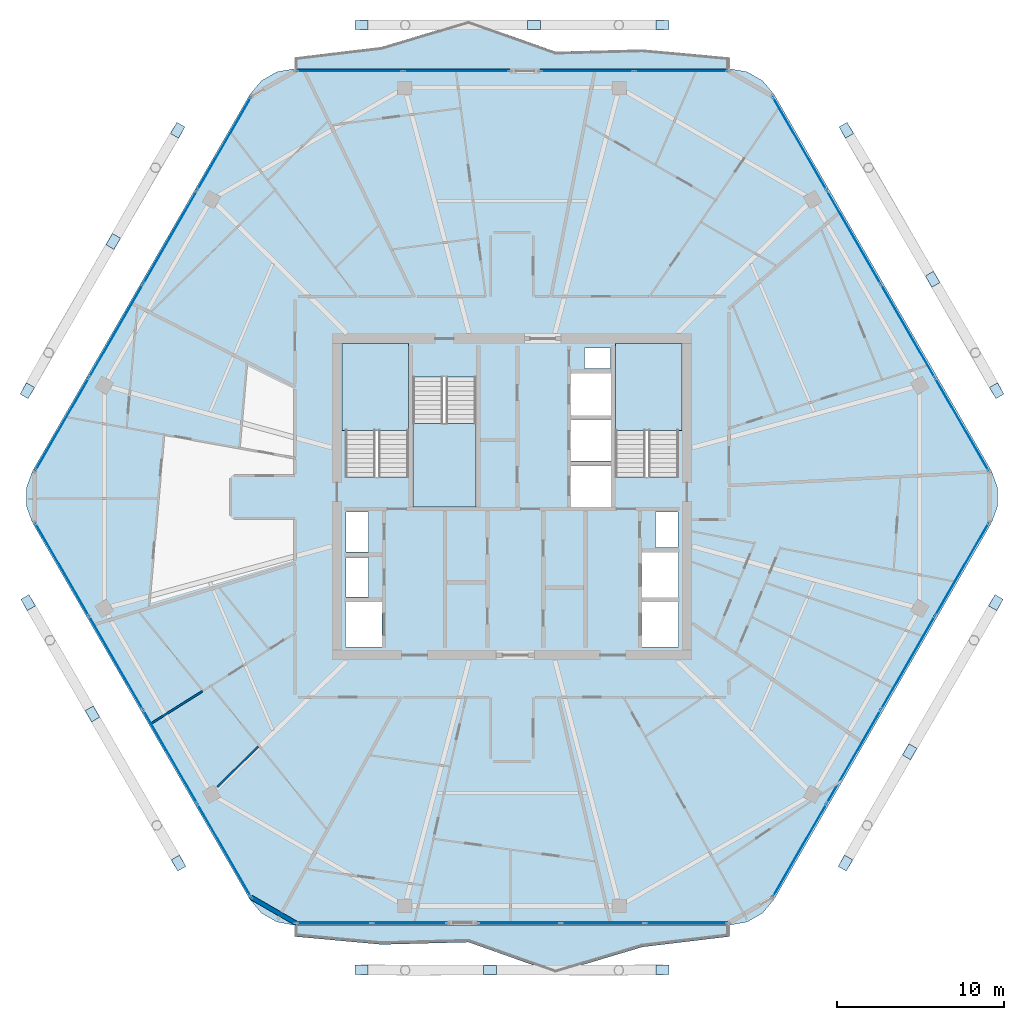
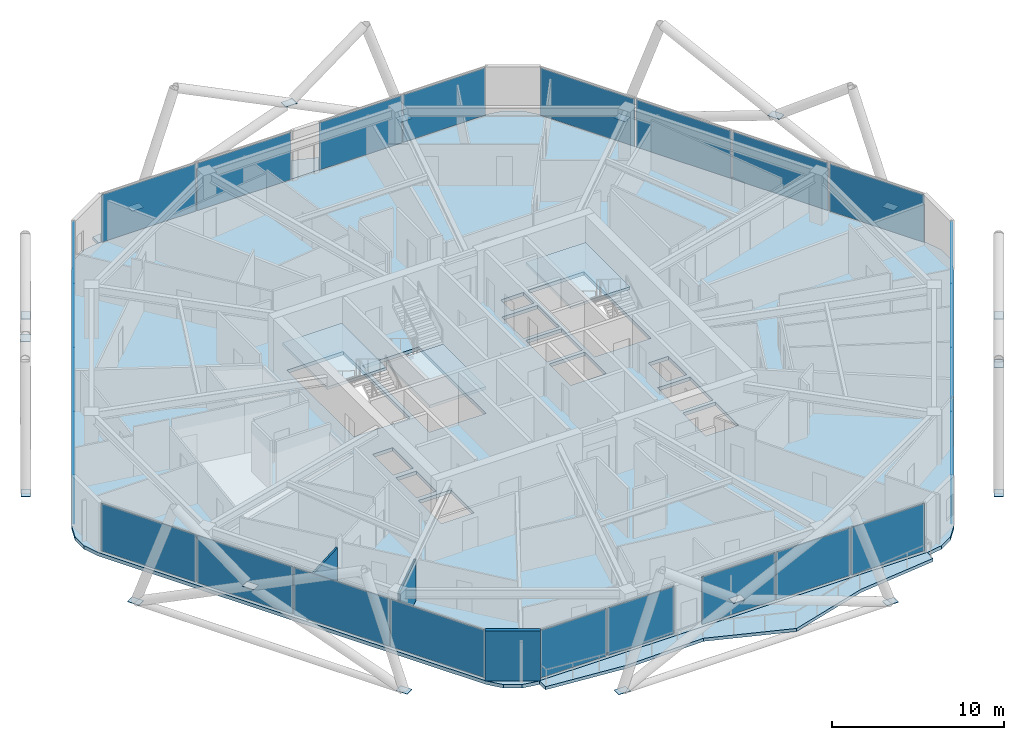
# One storey, part 19 of 27: 43 plates, 6 slabs, 3 walls, 11 elements without a shape of their own.
"""IFC4 building model written with IfcOpenShell, lengths in metres."""

from ifc_helpers import new_model, si_unit, direction, frame, frame_2d, origin, origin_2d, place, context, subcontext, project, spatial, polyline, rectangle, outline, extrude, material, layer, layer_set, type_object, element, aggregate, save


model = new_model("IFC4")

# Units and contexts
model_context = context("Model", 3, precision=1e-05, world=origin(), true_north=direction((0.0, 1.0)))
body_context = subcontext(model_context, "Body", "Model", "MODEL_VIEW")
ifc_project = project(units=[si_unit("LENGTHUNIT", "METRE"), si_unit("AREAUNIT", "SQUARE_METRE"), si_unit("VOLUMEUNIT", "CUBIC_METRE"), si_unit("PLANEANGLEUNIT", "RADIAN"), si_unit("MASSUNIT", "GRAM", prefix="KILO")], contexts=[model_context])

# Site, building, storey
site_placement = place(None, origin())
site = spatial("IfcSite", under=ifc_project, at=site_placement, CompositionType="ELEMENT")
building_placement = place(site_placement, origin())
building = spatial("IfcBuilding", under=site, at=building_placement, Name="Zuhravey Tower", CompositionType="ELEMENT")
storey_placement = place(building_placement, frame((0.0, 0.0, 276.800048828125)))
storey = spatial("IfcBuildingStorey", under=building, at=storey_placement, Name="L70", CompositionType="ELEMENT", Elevation=276.800048828125)

# Plates
ifc_material_1 = material(Name="Steel SM460", Category="steel")
ifc_layer_1 = layer(ifc_material_1, 0.031982421875)
ifc_layer_set_1 = layer_set([ifc_layer_1], Name="Steel SM460")
plate_type_1 = type_object("IfcPlateType", Name="Exoskeleton Zone 3 Node Plate ND3", PredefinedType="SHEET", material=ifc_layer_set_1)
for number, where, z_axis, x_axis, name in (
    (1, (65.095458984375, 38.37255859375, -0.47998046875), (0.0, 0.0, 1.0), (-0.5, 0.866025403784, 0.0), "L70 Exoskeleton Node Gusset L70-01"),
    (2, (56.06640625, 54.010986328125, -0.47998046875), (0.0, 0.0, 1.0), (-0.5, 0.866025403784, 0.0), "L70 Exoskeleton Node Gusset L70-02"),
    (3, (45.029052734375, 60.323486328125, -0.47998046875), (0.0, 0.0, 1.0), (-1.0, 0.0, 0.0), "L70 Exoskeleton Node Gusset L70-03"),
    (4, (26.970947265625, 60.323486328125, -0.47998046875), (0.0, 0.0, 1.0), (-1.0, 0.0, 0.0), "L70 Exoskeleton Node Gusset L70-04"),
    (5, (15.93359375, 54.010986328125, -0.47998046875), (0.0, 0.0, 1.0), (-0.5, -0.866025403784, 0.0), "L70 Exoskeleton Node Gusset L70-05"),
    (6, (6.904541015625, 38.37255859375, -0.47998046875), (0.0, 0.0, 1.0), (-0.5, -0.866025403784, 0.0), "L70 Exoskeleton Node Gusset L70-06"),
    (7, (6.95654296875, 25.657470703125, -0.47998046875), (0.0, 0.0, 1.0), (0.5, -0.866025403784, 0.0), "L70 Exoskeleton Node Gusset L70-07"),
    (8, (15.985595703125, 10.018798828125, -0.47998046875), (0.0, 0.0, 1.0), (0.5, -0.866025403784, 0.0), "L70 Exoskeleton Node Gusset L70-08"),
    (9, (26.970947265625, 3.616455078125, -0.47998046875), (0.0, 0.0, 1.0), (1.0, 0.0, 0.0), "L70 Exoskeleton Node Gusset L70-09"),
    (10, (45.029052734375, 3.616455078125, -0.47998046875), (0.0, 0.0, 1.0), (1.0, 0.0, 0.0), "L70 Exoskeleton Node Gusset L70-10"),
    (11, (56.014404296875, 10.018798828125, -0.47998046875), (0.0, 0.0, 1.0), (0.5, 0.866025403784, 0.0), "L70 Exoskeleton Node Gusset L70-11"),
    (12, (65.04345703125, 25.657470703125, -0.47998046875), (0.0, 0.0, 1.0), (0.5, 0.866025403784, 0.0), "L70 Exoskeleton Node Gusset L70-12"),
    (13, (61.249267578125, 45.064208984375, 3.31982421875), (0.0, 0.0, 1.0), (-0.5, 0.866025403784, 0.0), "L70 Face 1 Diagrid X-Crossing Plate"),
    (14, (37.310791015625, 60.323486328125, 3.31982421875), (0.0, 0.0, 1.0), (-1.0, 0.0, 0.0), "L70 Face 2 Diagrid X-Crossing Plate"),
    (15, (12.0615234375, 47.33447265625, 3.31982421875), (0.0, 0.0, 1.0), (-0.5, -0.866025403784, 0.0), "L70 Face 3 Diagrid X-Crossing Plate"),
    (16, (10.815673828125, 18.973388671875, 3.31982421875), (0.0, 0.0, 1.0), (0.5, -0.866025403784, 0.0), "L70 Face 4 Diagrid X-Crossing Plate"),
    (17, (34.689208984375, 3.601318359375, 3.31982421875), (0.0, 0.0, 1.0), (1.0, 0.0, 0.0), "L70 Face 5 Diagrid X-Crossing Plate"),
    (18, (59.87353515625, 16.703125, 3.31982421875), (0.0, 0.0, 1.0), (0.5, 0.866025403784, 0.0), "L70 Face 6 Diagrid X-Crossing Plate"),
):
    element("IfcPlate", number, at=place(storey_placement, frame(where, z_axis=z_axis, x_axis=x_axis)), inside=storey, type_object=plate_type_1, Name=name, PredefinedType="SHEET", context=body_context, shape_type="SweptSolid", body=[
        extrude(rectangle(XDim=0.780029296875, YDim=0.56005859375, at=origin_2d()), origin(), (0.0, 0.0, 1.0), 0.031982421875),
    ])

# Slabs
ifc_material_2 = material(Name="Concrete C50/60", Category="concrete")
ifc_layer_2 = layer(ifc_material_2, 0.25)
ifc_layer_set_2 = layer_set([ifc_layer_2], Name="Concrete C50/60")
slab_type_1 = type_object("IfcSlabType", Name="Residential Acoustic Slab 250", PredefinedType="FLOOR", material=ifc_layer_set_2)
slab_1_placement = place(storey_placement, frame((0.0, 0.0, -0.25)))
element("IfcSlab", 19, at=slab_1_placement, inside=storey, type_object=slab_type_1, Name="L70 Floor Slab FS25", PredefinedType="FLOOR", context=body_context, shape_type="SweptSolid", body=[
    extrude(outline(polyline([(64.78515625, 30.449951171875), (65.1533203125, 31.461669921875), (65.1533203125, 32.538330078125), (64.78515625, 33.550048828125), (51.73486328125, 56.153564453125), (51.04296875, 56.978515625), (50.110595703125, 57.5166015625), (49.05029296875, 57.70361328125), (22.94970703125, 57.70361328125), (21.889404296875, 57.5166015625), (20.95703125, 56.978515625), (20.26513671875, 56.153564453125), (7.21484375, 33.550048828125), (6.8466796875, 32.538330078125), (6.8466796875, 31.461669921875), (7.21484375, 30.449951171875), (20.26513671875, 7.846435546875), (20.95703125, 7.021484375), (21.889404296875, 6.4833984375), (22.94970703125, 6.29638671875), (49.05029296875, 6.29638671875), (50.110595703125, 6.4833984375), (51.04296875, 7.021484375), (51.73486328125, 7.846435546875), (64.78515625, 30.449951171875)]), holes=[polyline([(29.800048828125, 33.20068359375), (29.800048828125, 41.0), (26.0, 41.0), (26.0, 33.20068359375), (29.800048828125, 33.20068359375)]), polyline([(46.0, 33.20068359375), (46.0, 41.0), (42.199951171875, 41.0), (42.199951171875, 33.20068359375), (46.0, 33.20068359375)]), polyline([(30.050048828125, 39.199462890625), (30.050048828125, 31.39990234375), (33.85009765625, 31.39990234375), (33.85009765625, 39.199462890625), (30.050048828125, 39.199462890625)]), polyline([(39.550048828125, 31.39990234375), (41.949951171875, 31.39990234375), (41.949951171875, 33.89990234375), (39.550048828125, 33.89990234375), (39.550048828125, 31.39990234375)]), polyline([(39.550048828125, 34.14990234375), (41.949951171875, 34.14990234375), (41.949951171875, 36.64990234375), (39.550048828125, 36.64990234375), (39.550048828125, 34.14990234375)]), polyline([(39.550048828125, 36.89990234375), (41.949951171875, 36.89990234375), (41.949951171875, 39.39990234375), (39.550048828125, 39.39990234375), (39.550048828125, 36.89990234375)]), polyline([(26.0, 23.0), (28.199951171875, 23.0), (28.199951171875, 25.699951171875), (26.0, 25.699951171875), (26.0, 23.0)]), polyline([(43.800048828125, 23.0), (46.0, 23.0), (46.0, 25.699951171875), (43.800048828125, 25.699951171875), (43.800048828125, 23.0)]), polyline([(43.800048828125, 25.949951171875), (46.0, 25.949951171875), (46.0, 28.64990234375), (43.800048828125, 28.64990234375), (43.800048828125, 25.949951171875)]), polyline([(26.050048828125, 26.0), (27.39990234375, 26.0), (27.39990234375, 28.35009765625), (26.050048828125, 28.35009765625), (26.050048828125, 26.0)]), polyline([(26.050048828125, 28.699951171875), (27.39990234375, 28.699951171875), (27.39990234375, 31.10009765625), (26.050048828125, 31.10009765625), (26.050048828125, 28.699951171875)]), polyline([(44.60009765625, 28.949951171875), (45.949951171875, 28.949951171875), (45.949951171875, 31.10009765625), (44.60009765625, 31.10009765625), (44.60009765625, 28.949951171875)]), polyline([(40.35009765625, 39.699951171875), (41.89990234375, 39.699951171875), (41.89990234375, 40.949951171875), (40.35009765625, 40.949951171875), (40.35009765625, 39.699951171875)])]), origin(), (0.0, 0.0, 1.0), 0.25),
])
ifc_material_3 = material(Name="Concrete C40/50", Category="concrete")
ifc_layer_3 = layer(ifc_material_3, 0.219970703125)
ifc_layer_set_3 = layer_set([ifc_layer_3], Name="Concrete C40/50")
slab_type_2 = type_object("IfcSlabType", Name="Sinusoidal Residential Wave Balcony 220", PredefinedType="FLOOR", material=ifc_layer_set_3)
slab_2_placement = place(storey_placement, frame((0.0, 0.0, -0.219970703125)))
element("IfcSlab", 20, at=slab_2_placement, inside=storey, type_object=slab_type_2, Name="L70 Face 5 Wave Balcony WB22", PredefinedType="FLOOR", context=body_context, shape_type="SweptSolid", body=[
    extrude(outline(polyline([(22.95849609375, 6.311279296875), (49.04150390625, 6.311279296875), (49.04150390625, 5.611328125), (43.824951171875, 4.985107421875), (38.6083984375, 3.422607421875), (33.3916015625, 5.2724609375), (28.175048828125, 5.134033203125), (22.95849609375, 5.611328125), (22.95849609375, 6.311279296875)])), origin(), (0.0, 0.0, 1.0), 0.219970703125),
])
slab_3_placement = place(storey_placement, frame((0.0, 0.0, -0.219970703125)))
element("IfcSlab", 21, at=slab_3_placement, inside=storey, type_object=slab_type_2, Name="L70 Face 2 Wave Balcony WB22", PredefinedType="FLOOR", context=body_context, shape_type="SweptSolid", body=[
    extrude(outline(polyline([(49.04150390625, 57.688720703125), (22.95849609375, 57.688720703125), (22.95849609375, 58.388671875), (28.175048828125, 59.014892578125), (33.3916015625, 60.577392578125), (38.6083984375, 58.7275390625), (43.824951171875, 58.865966796875), (49.04150390625, 58.388671875), (49.04150390625, 57.688720703125)])), origin(), (0.0, 0.0, 1.0), 0.219970703125),
])

# Stair, slab
stair_type = type_object("IfcStairType", Name="Housing Storey Stair Assembly 3800", PredefinedType="HALF_TURN_STAIR", material=ifc_material_3)
stair_1_placement = place(storey_placement, origin())
stair_1 = element("IfcStair", 22, at=stair_1_placement, inside=storey, type_object=stair_type, Name="L70 Core Exit Stair ST1", PredefinedType="HALF_TURN_STAIR")
ifc_layer_4 = layer(ifc_material_3, 0.199951171875)
ifc_layer_set_4 = layer_set([ifc_layer_4], Name="Concrete C40/50")
slab_type_3 = type_object("IfcSlabType", Name="Stair Landing Slab 200", PredefinedType="LANDING", material=ifc_layer_set_4)
slab_4_placement = place(storey_placement, frame((0.0, 0.0, 1.699951171875)))
slab_4 = element("IfcSlab", 23, at=slab_4_placement, type_object=slab_type_3, Name="ST1 landing 1", PredefinedType="LANDING", context=body_context, shape_type="SweptSolid", body=[
    extrude(outline(polyline([(29.800048828125, 36.0), (29.800048828125, 41.197998046875), (25.802001953125, 41.197998046875), (25.802001953125, 36.0), (29.800048828125, 36.0)])), origin(), (0.0, 0.0, 1.0), 0.199951171875),
])
aggregate(stair_1, [slab_4])

stair_2_placement = place(storey_placement, origin())
stair_2 = element("IfcStair", 24, at=stair_2_placement, inside=storey, type_object=stair_type, Name="L70 Core Exit Stair ST2", PredefinedType="HALF_TURN_STAIR")
slab_5_placement = place(storey_placement, frame((0.0, 0.0, 1.699951171875)))
slab_5 = element("IfcSlab", 25, at=slab_5_placement, type_object=slab_type_3, Name="ST2 landing 1", PredefinedType="LANDING", context=body_context, shape_type="SweptSolid", body=[
    extrude(outline(polyline([(46.197998046875, 36.0), (46.197998046875, 41.197998046875), (42.199951171875, 41.197998046875), (42.199951171875, 36.0), (46.197998046875, 36.0)])), origin(), (0.0, 0.0, 1.0), 0.199951171875),
])
aggregate(stair_2, [slab_5])

stair_3_placement = place(storey_placement, origin())
stair_3 = element("IfcStair", 26, at=stair_3_placement, inside=storey, type_object=stair_type, Name="L70 Core Exit Stair ST3", PredefinedType="HALF_TURN_STAIR")
slab_6_placement = place(storey_placement, frame((0.0, 0.0, 1.699951171875)))
slab_6 = element("IfcSlab", 27, at=slab_6_placement, type_object=slab_type_3, Name="ST3 landing 1", PredefinedType="LANDING", context=body_context, shape_type="SweptSolid", body=[
    extrude(outline(polyline([(30.050048828125, 36.39990234375), (30.050048828125, 31.39990234375), (33.85009765625, 31.39990234375), (33.85009765625, 36.39990234375), (30.050048828125, 36.39990234375)])), origin(), (0.0, 0.0, 1.0), 0.199951171875),
])
aggregate(stair_3, [slab_6])

# Curtain wall, plates
ifc_material_4 = material(Name="Thermally broken anodised aluminium", Category="aluminium")
curtain_wall_type = type_object("IfcCurtainWallType", Name="Zone 3-4 High-Rise Curtain Wall CW4", PredefinedType="NOTDEFINED", material=ifc_material_4)
curtain_wall_1_placement = place(storey_placement, origin())
curtain_wall_1 = element("IfcCurtainWall", 28, at=curtain_wall_1_placement, inside=storey, type_object=curtain_wall_type, Name="L70 CW4 CW-L70-F6-1", PredefinedType="NOTDEFINED")
ifc_material_5 = material(Name="Triple low-E insulated vision glass", Category="glass")
ifc_layer_5 = layer(ifc_material_5, 0.0419921875)
ifc_layer_set_5 = layer_set([ifc_layer_5], Name="Triple low-E insulated vision glass")
plate_type_2 = type_object("IfcPlateType", Name="Triple Low-E Vision Panel", PredefinedType="CURTAIN_PANEL", material=ifc_layer_set_5)
plate_1_placement = place(storey_placement, frame((63.00732421875, 27.650634765625, 0.08984375), z_axis=(0.0, 0.0, 1.0), x_axis=(-0.500000957414, -0.866024851021, 0.0)))
plate_1 = element("IfcPlate", 29, at=plate_1_placement, type_object=plate_type_2, Name="CW4 panel 1.1", PredefinedType="CURTAIN_PANEL", context=body_context, shape_type="SweptSolid", body=[
    extrude(rectangle(XDim=6.371337890625, YDim=0.0419921875, at=origin_2d()), origin(), (0.0, 0.0, 1.0), 3.3701171875),
])
plate_2_placement = place(storey_placement, frame((59.765380859375, 22.03564453125, 0.08984375), z_axis=(0.0, 0.0, 1.0), x_axis=(-0.500000957414, -0.866024851021, 0.0)))
plate_2 = element("IfcPlate", 30, at=plate_2_placement, type_object=plate_type_2, Name="CW4 panel 2.1", PredefinedType="CURTAIN_PANEL", context=body_context, shape_type="SweptSolid", body=[
    extrude(rectangle(XDim=6.416259765625, YDim=0.0419921875, at=origin_2d()), origin(), (0.0, 0.0, 1.0), 3.3701171875),
])
plate_3_placement = place(storey_placement, frame((56.51220703125, 16.40087890625, 0.08984375), z_axis=(0.0, 0.0, 1.0), x_axis=(-0.500000957414, -0.866024851021, 0.0)))
plate_3 = element("IfcPlate", 31, at=plate_3_placement, type_object=plate_type_2, Name="CW4 panel 3.1", PredefinedType="CURTAIN_PANEL", context=body_context, shape_type="SweptSolid", body=[
    extrude(rectangle(XDim=6.416259765625, YDim=0.0419921875, at=origin_2d()), origin(), (0.0, 0.0, 1.0), 3.3701171875),
])
plate_4_placement = place(storey_placement, frame((53.270263671875, 10.78564453125, 0.08984375), z_axis=(0.0, 0.0, 1.0), x_axis=(-0.500000957414, -0.866024851021, 0.0)))
plate_4 = element("IfcPlate", 32, at=plate_4_placement, type_object=plate_type_2, Name="CW4 panel 4.1", PredefinedType="CURTAIN_PANEL", context=body_context, shape_type="SweptSolid", body=[
    extrude(rectangle(XDim=6.371337890625, YDim=0.0419921875, at=origin_2d()), origin(), (0.0, 0.0, 1.0), 3.3701171875),
])
aggregate(curtain_wall_1, [plate_1, plate_2, plate_3, plate_4])

curtain_wall_2_placement = place(storey_placement, origin())
curtain_wall_2 = element("IfcCurtainWall", 33, at=curtain_wall_2_placement, inside=storey, type_object=curtain_wall_type, Name="L70 CW4 CW-L70-F5-1", PredefinedType="NOTDEFINED")
plate_5_placement = place(storey_placement, frame((46.467041015625, 6.436279296875, 0.08984375), z_axis=(0.0, 0.0, 1.0), x_axis=(-1.0, 0.0, 0.0)))
plate_5 = element("IfcPlate", 34, at=plate_5_placement, type_object=plate_type_2, Name="CW4 panel 1.1", PredefinedType="CURTAIN_PANEL", context=body_context, shape_type="SweptSolid", body=[
    extrude(rectangle(XDim=4.911376953125, YDim=0.0419921875, at=origin_2d()), origin(), (0.0, 0.0, 1.0), 3.3701171875),
])
plate_6_placement = place(storey_placement, frame((41.443115234375, 6.436279296875, 0.08984375), z_axis=(0.0, 0.0, 1.0), x_axis=(-1.0, 0.0, 0.0)))
plate_6 = element("IfcPlate", 35, at=plate_6_placement, type_object=plate_type_2, Name="CW4 panel 2.1", PredefinedType="CURTAIN_PANEL", context=body_context, shape_type="SweptSolid", body=[
    extrude(rectangle(XDim=4.956298828125, YDim=0.0419921875, at=origin_2d()), origin(), (0.0, 0.0, 1.0), 3.3701171875),
])
plate_7_placement = place(storey_placement, frame((36.41943359375, 6.436279296875, 0.08984375), z_axis=(0.0, 0.0, 1.0), x_axis=(-1.0, 0.0, 0.0)))
plate_7 = element("IfcPlate", 36, at=plate_7_placement, type_object=plate_type_2, Name="CW4 panel 3.1", PredefinedType="CURTAIN_PANEL", context=body_context, shape_type="SweptSolid", body=[
    extrude(rectangle(XDim=4.911376953125, YDim=0.0419921875, at=origin_2d()), origin(), (0.0, 0.0, 1.0), 3.3701171875),
])
aggregate(curtain_wall_2, [plate_5, plate_6, plate_7])

curtain_wall_3_placement = place(storey_placement, origin())
curtain_wall_3 = element("IfcCurtainWall", 37, at=curtain_wall_3_placement, inside=storey, type_object=curtain_wall_type, Name="L70 CW4 CW-L70-F5-2", PredefinedType="NOTDEFINED")
plate_8_placement = place(storey_placement, frame((29.8544921875, 6.436279296875, 0.08984375), z_axis=(0.0, 0.0, 1.0), x_axis=(-1.0, 0.0, 0.0)))
plate_8 = element("IfcPlate", 38, at=plate_8_placement, type_object=plate_type_2, Name="CW4 panel 1.1", PredefinedType="CURTAIN_PANEL", context=body_context, shape_type="SweptSolid", body=[
    extrude(rectangle(XDim=4.458251953125, YDim=0.0419921875, at=origin_2d()), origin(), (0.0, 0.0, 1.0), 3.3701171875),
])
plate_9_placement = place(storey_placement, frame((25.306396484375, 6.436279296875, 0.08984375), z_axis=(0.0, 0.0, 1.0), x_axis=(-1.0, 0.0, 0.0)))
plate_9 = element("IfcPlate", 39, at=plate_9_placement, type_object=plate_type_2, Name="CW4 panel 2.1", PredefinedType="CURTAIN_PANEL", context=body_context, shape_type="SweptSolid", body=[
    extrude(rectangle(XDim=4.458251953125, YDim=0.0419921875, at=origin_2d()), origin(), (0.0, 0.0, 1.0), 3.3701171875),
])
aggregate(curtain_wall_3, [plate_8, plate_9])

curtain_wall_4_placement = place(storey_placement, origin())
curtain_wall_4 = element("IfcCurtainWall", 40, at=curtain_wall_4_placement, inside=storey, type_object=curtain_wall_type, Name="L70 CW4 CW-L70-F4-1", PredefinedType="NOTDEFINED")
plate_10_placement = place(storey_placement, frame((18.729736328125, 10.78564453125, 0.08984375), z_axis=(0.0, 0.0, 1.0), x_axis=(-0.500000957414, 0.866024851021, 0.0)))
plate_10 = element("IfcPlate", 41, at=plate_10_placement, type_object=plate_type_2, Name="CW4 panel 1.1", PredefinedType="CURTAIN_PANEL", context=body_context, shape_type="SweptSolid", body=[
    extrude(rectangle(XDim=6.371337890625, YDim=0.0419921875, at=origin_2d()), origin(), (0.0, 0.0, 1.0), 3.3701171875),
])
plate_11_placement = place(storey_placement, frame((15.48779296875, 16.40087890625, 0.08984375), z_axis=(0.0, 0.0, 1.0), x_axis=(-0.500000957414, 0.866024851021, 0.0)))
plate_11 = element("IfcPlate", 42, at=plate_11_placement, type_object=plate_type_2, Name="CW4 panel 2.1", PredefinedType="CURTAIN_PANEL", context=body_context, shape_type="SweptSolid", body=[
    extrude(rectangle(XDim=6.416259765625, YDim=0.0419921875, at=origin_2d()), origin(), (0.0, 0.0, 1.0), 3.3701171875),
])
plate_12_placement = place(storey_placement, frame((12.234619140625, 22.03564453125, 0.08984375), z_axis=(0.0, 0.0, 1.0), x_axis=(-0.500000957414, 0.866024851021, 0.0)))
plate_12 = element("IfcPlate", 43, at=plate_12_placement, type_object=plate_type_2, Name="CW4 panel 3.1", PredefinedType="CURTAIN_PANEL", context=body_context, shape_type="SweptSolid", body=[
    extrude(rectangle(XDim=6.416259765625, YDim=0.0419921875, at=origin_2d()), origin(), (0.0, 0.0, 1.0), 3.3701171875),
])
plate_13_placement = place(storey_placement, frame((8.99267578125, 27.650634765625, 0.08984375), z_axis=(0.0, 0.0, 1.0), x_axis=(-0.500000957414, 0.866024851021, 0.0)))
plate_13 = element("IfcPlate", 44, at=plate_13_placement, type_object=plate_type_2, Name="CW4 panel 4.1", PredefinedType="CURTAIN_PANEL", context=body_context, shape_type="SweptSolid", body=[
    extrude(rectangle(XDim=6.371337890625, YDim=0.0419921875, at=origin_2d()), origin(), (0.0, 0.0, 1.0), 3.3701171875),
])
aggregate(curtain_wall_4, [plate_10, plate_11, plate_12, plate_13])

curtain_wall_5_placement = place(storey_placement, origin())
curtain_wall_5 = element("IfcCurtainWall", 45, at=curtain_wall_5_placement, inside=storey, type_object=curtain_wall_type, Name="L70 CW4 CW-L70-F3-1", PredefinedType="NOTDEFINED")
plate_14_placement = place(storey_placement, frame((8.99267578125, 36.349365234375, 0.08984375), z_axis=(0.0, 0.0, 1.0), x_axis=(0.500000957414, 0.866024851021, 0.0)))
plate_14 = element("IfcPlate", 46, at=plate_14_placement, type_object=plate_type_2, Name="CW4 panel 1.1", PredefinedType="CURTAIN_PANEL", context=body_context, shape_type="SweptSolid", body=[
    extrude(rectangle(XDim=6.371337890625, YDim=0.0419921875, at=origin_2d()), origin(), (0.0, 0.0, 1.0), 3.3701171875),
])
plate_15_placement = place(storey_placement, frame((12.234619140625, 41.96435546875, 0.08984375), z_axis=(0.0, 0.0, 1.0), x_axis=(0.500000957414, 0.866024851021, 0.0)))
plate_15 = element("IfcPlate", 47, at=plate_15_placement, type_object=plate_type_2, Name="CW4 panel 2.1", PredefinedType="CURTAIN_PANEL", context=body_context, shape_type="SweptSolid", body=[
    extrude(rectangle(XDim=6.416259765625, YDim=0.0419921875, at=origin_2d()), origin(), (0.0, 0.0, 1.0), 3.3701171875),
])
plate_16_placement = place(storey_placement, frame((15.48779296875, 47.59912109375, 0.08984375), z_axis=(0.0, 0.0, 1.0), x_axis=(0.500000957414, 0.866024851021, 0.0)))
plate_16 = element("IfcPlate", 48, at=plate_16_placement, type_object=plate_type_2, Name="CW4 panel 3.1", PredefinedType="CURTAIN_PANEL", context=body_context, shape_type="SweptSolid", body=[
    extrude(rectangle(XDim=6.416259765625, YDim=0.0419921875, at=origin_2d()), origin(), (0.0, 0.0, 1.0), 3.3701171875),
])
plate_17_placement = place(storey_placement, frame((18.729736328125, 53.21435546875, 0.08984375), z_axis=(0.0, 0.0, 1.0), x_axis=(0.500000957414, 0.866024851021, 0.0)))
plate_17 = element("IfcPlate", 49, at=plate_17_placement, type_object=plate_type_2, Name="CW4 panel 4.1", PredefinedType="CURTAIN_PANEL", context=body_context, shape_type="SweptSolid", body=[
    extrude(rectangle(XDim=6.371337890625, YDim=0.0419921875, at=origin_2d()), origin(), (0.0, 0.0, 1.0), 3.3701171875),
])
aggregate(curtain_wall_5, [plate_14, plate_15, plate_16, plate_17])

curtain_wall_6_placement = place(storey_placement, origin())
curtain_wall_6 = element("IfcCurtainWall", 50, at=curtain_wall_6_placement, inside=storey, type_object=curtain_wall_type, Name="L70 CW4 CW-L70-F2-1", PredefinedType="NOTDEFINED")
plate_18_placement = place(storey_placement, frame((26.245361328125, 57.563720703125, 0.08984375), z_axis=(0.0, 0.0, 1.0), x_axis=(1.0, 0.0, 0.0)))
plate_18 = element("IfcPlate", 51, at=plate_18_placement, type_object=plate_type_2, Name="CW4 panel 1.1", PredefinedType="CURTAIN_PANEL", context=body_context, shape_type="SweptSolid", body=[
    extrude(rectangle(XDim=6.336181640625, YDim=0.0419921875, at=origin_2d()), origin(), (0.0, 0.0, 1.0), 3.3701171875),
])
plate_19_placement = place(storey_placement, frame((32.671630859375, 57.563720703125, 0.08984375), z_axis=(0.0, 0.0, 1.0), x_axis=(1.0, 0.0, 0.0)))
plate_19 = element("IfcPlate", 52, at=plate_19_placement, type_object=plate_type_2, Name="CW4 panel 2.1", PredefinedType="CURTAIN_PANEL", context=body_context, shape_type="SweptSolid", body=[
    extrude(rectangle(XDim=6.336181640625, YDim=0.0419921875, at=origin_2d()), origin(), (0.0, 0.0, 1.0), 3.3701171875),
])
aggregate(curtain_wall_6, [plate_18, plate_19])

curtain_wall_7_placement = place(storey_placement, origin())
curtain_wall_7 = element("IfcCurtainWall", 53, at=curtain_wall_7_placement, inside=storey, type_object=curtain_wall_type, Name="L70 CW4 CW-L70-F2-2", PredefinedType="NOTDEFINED")
plate_20_placement = place(storey_placement, frame((40.497802734375, 57.563720703125, 0.08984375), z_axis=(0.0, 0.0, 1.0), x_axis=(1.0, 0.0, 0.0)))
plate_20 = element("IfcPlate", 54, at=plate_20_placement, type_object=plate_type_2, Name="CW4 panel 1.1", PredefinedType="CURTAIN_PANEL", context=body_context, shape_type="SweptSolid", body=[
    extrude(rectangle(XDim=5.556640625, YDim=0.0419921875, at=origin_2d()), origin(), (0.0, 0.0, 1.0), 3.3701171875),
])
plate_21_placement = place(storey_placement, frame((46.14453125, 57.563720703125, 0.08984375), z_axis=(0.0, 0.0, 1.0), x_axis=(1.0, 0.0, 0.0)))
plate_21 = element("IfcPlate", 55, at=plate_21_placement, type_object=plate_type_2, Name="CW4 panel 2.1", PredefinedType="CURTAIN_PANEL", context=body_context, shape_type="SweptSolid", body=[
    extrude(rectangle(XDim=5.556640625, YDim=0.0419921875, at=origin_2d()), origin(), (0.0, 0.0, 1.0), 3.3701171875),
])
aggregate(curtain_wall_7, [plate_20, plate_21])

curtain_wall_8_placement = place(storey_placement, origin())
curtain_wall_8 = element("IfcCurtainWall", 56, at=curtain_wall_8_placement, inside=storey, type_object=curtain_wall_type, Name="L70 CW4 CW-L70-F1-1", PredefinedType="NOTDEFINED")
plate_22_placement = place(storey_placement, frame((53.270263671875, 53.21435546875, 0.08984375), z_axis=(0.0, 0.0, 1.0), x_axis=(0.500000957414, -0.866024851021, 0.0)))
plate_22 = element("IfcPlate", 57, at=plate_22_placement, type_object=plate_type_2, Name="CW4 panel 1.1", PredefinedType="CURTAIN_PANEL", context=body_context, shape_type="SweptSolid", body=[
    extrude(rectangle(XDim=6.371337890625, YDim=0.0419921875, at=origin_2d()), origin(), (0.0, 0.0, 1.0), 3.3701171875),
])
plate_23_placement = place(storey_placement, frame((56.51220703125, 47.59912109375, 0.08984375), z_axis=(0.0, 0.0, 1.0), x_axis=(0.500000957414, -0.866024851021, 0.0)))
plate_23 = element("IfcPlate", 58, at=plate_23_placement, type_object=plate_type_2, Name="CW4 panel 2.1", PredefinedType="CURTAIN_PANEL", context=body_context, shape_type="SweptSolid", body=[
    extrude(rectangle(XDim=6.416259765625, YDim=0.0419921875, at=origin_2d()), origin(), (0.0, 0.0, 1.0), 3.3701171875),
])
plate_24_placement = place(storey_placement, frame((59.765380859375, 41.96435546875, 0.08984375), z_axis=(0.0, 0.0, 1.0), x_axis=(0.500000957414, -0.866024851021, 0.0)))
plate_24 = element("IfcPlate", 59, at=plate_24_placement, type_object=plate_type_2, Name="CW4 panel 3.1", PredefinedType="CURTAIN_PANEL", context=body_context, shape_type="SweptSolid", body=[
    extrude(rectangle(XDim=6.416259765625, YDim=0.0419921875, at=origin_2d()), origin(), (0.0, 0.0, 1.0), 3.3701171875),
])
plate_25_placement = place(storey_placement, frame((63.00732421875, 36.349365234375, 0.08984375), z_axis=(0.0, 0.0, 1.0), x_axis=(0.500000957414, -0.866024851021, 0.0)))
plate_25 = element("IfcPlate", 60, at=plate_25_placement, type_object=plate_type_2, Name="CW4 panel 4.1", PredefinedType="CURTAIN_PANEL", context=body_context, shape_type="SweptSolid", body=[
    extrude(rectangle(XDim=6.371337890625, YDim=0.0419921875, at=origin_2d()), origin(), (0.0, 0.0, 1.0), 3.3701171875),
])
aggregate(curtain_wall_8, [plate_22, plate_23, plate_24, plate_25])

# Walls
ifc_material_6 = material(Name="Precast concrete C40/50", Category="concrete")
ifc_layer_6 = layer(ifc_material_6, 0.280029296875)
ifc_layer_set_6 = layer_set([ifc_layer_6], Name="Precast concrete C40/50")
wall_type_1 = type_object("IfcWallType", Name="Crown Architectural Wall 280", PredefinedType="SOLIDWALL", material=ifc_layer_set_6)
wall_1_placement = place(storey_placement, frame((23.069580078125, 6.388916015625, 0.0), z_axis=(0.0, 0.0, 1.0), x_axis=(-0.866028773314, 0.499994163758, 0.0)))
element("IfcWall", 61, at=wall_1_placement, inside=storey, type_object=wall_type_1, Name="L70 Rounded Corner Closure Wall EW28-04", PredefinedType="SOLIDWALL", context=body_context, shape_type="SweptSolid", body=[
    extrude(rectangle(XDim=3.21484375, YDim=0.280029296875, at=frame_2d((1.607421875, 0.0))), origin(), (0.0, 0.0, 1.0), 3.550048828125),
])
ifc_material_7 = material(Name="Gypsum metal-stud partition")
ifc_layer_7 = layer(ifc_material_7, 0.1201171875)
ifc_layer_set_7 = layer_set([ifc_layer_7], Name="Gypsum metal-stud partition")
wall_type_2 = type_object("IfcWallType", Name="Unit Internal Partition 120", PredefinedType="PARTITIONING", material=ifc_layer_set_7)
wall_2_placement = place(storey_placement, frame((20.767578125, 17.01513671875, 0.0), z_axis=(0.0, 0.0, 1.0), x_axis=(-0.71287305113, -0.701293100617, 0.0)))
element("IfcWall", 62, at=wall_2_placement, inside=storey, type_object=wall_type_2, Name="L70 IW12 Partition 076", PredefinedType="PARTITIONING", context=body_context, shape_type="SweptSolid", body=[
    extrude(rectangle(XDim=3.45751953125, YDim=0.1201171875, at=frame_2d((1.728759765625, 0.0))), origin(), (0.0, 0.0, 1.0), 2.949951171875),
])
wall_3_placement = place(storey_placement, frame((17.427978515625, 20.3408203125, 0.0), z_axis=(0.0, 0.0, 1.0), x_axis=(-0.846935423542, -0.531695766722, 0.0)))
element("IfcWall", 63, at=wall_3_placement, inside=storey, type_object=wall_type_2, Name="L70 IW12 Partition 078", PredefinedType="PARTITIONING", context=body_context, shape_type="SweptSolid", body=[
    extrude(rectangle(XDim=3.65771484375, YDim=0.1201171875, at=frame_2d((1.828857421875, 0.0))), origin(), (0.0, 0.0, 1.0), 2.929931640625),
])

save(model, "model.ifc")
